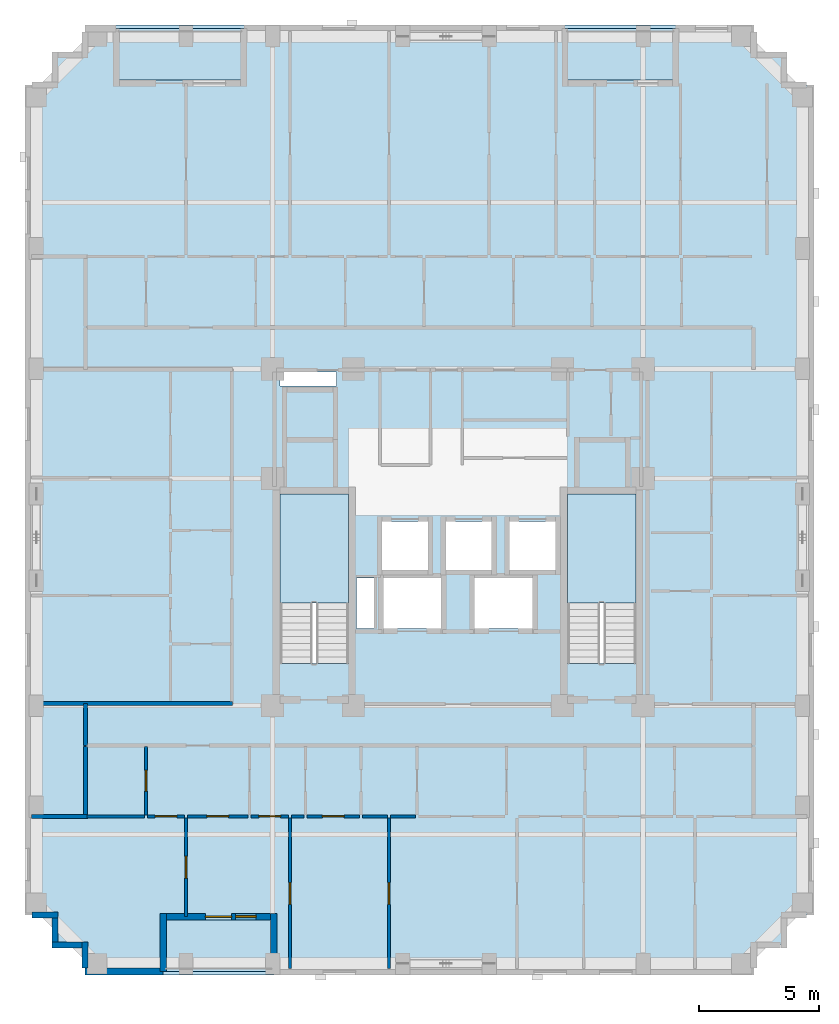
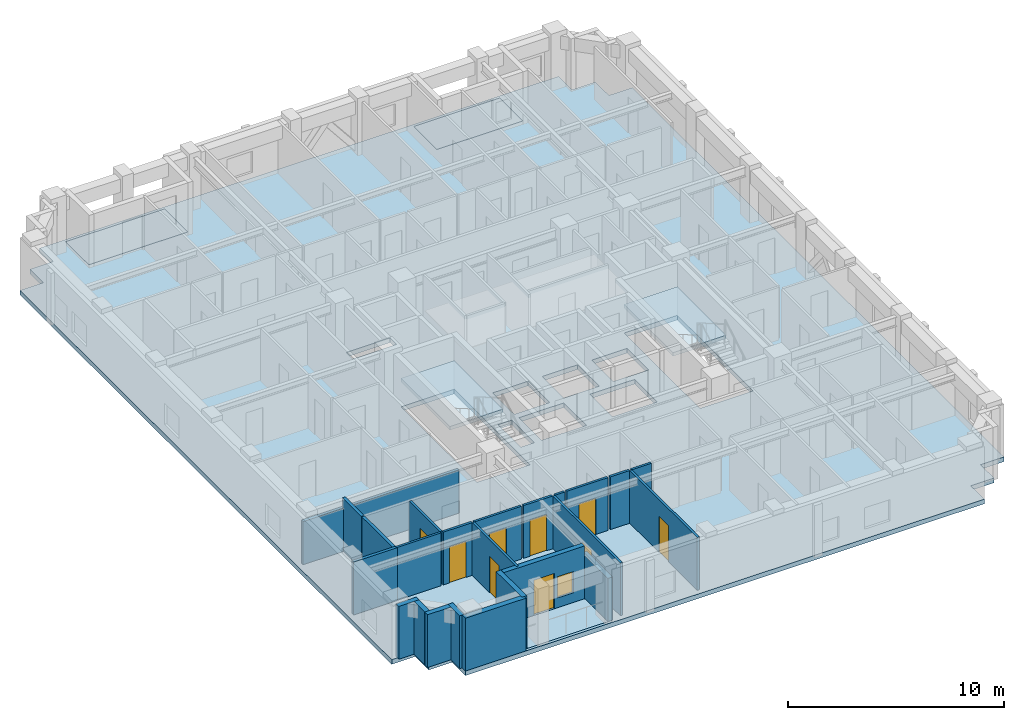
# One storey, part 2 of 11: 24 walls, 9 doors, 6 slabs, 1 window, 10 openings, 2 elements without a shape of their own.
"""IFC4 building model written with IfcOpenShell, lengths in metres."""

from ifc_helpers import new_model, si_unit, derived_unit, direction, frame, frame_2d, origin, place, context, subcontext, project, spatial, polyline, rectangle, outline, extrude, material, layer, layer_set, type_object, element, fill, aggregate, save


model = new_model("IFC4")

# Units and contexts
model_context = context("Model", 3, precision=1e-05, world=origin(), true_north=direction((0.0, 1.0)))
body_context = subcontext(model_context, "Body", "Model", "MODEL_VIEW")
ifc_project = project(units=[si_unit("LENGTHUNIT", "METRE"), si_unit("AREAUNIT", "SQUARE_METRE"), si_unit("VOLUMEUNIT", "CUBIC_METRE"), si_unit("PLANEANGLEUNIT", "RADIAN"), si_unit("MASSUNIT", "GRAM", prefix="KILO"), derived_unit("THERMALTRANSMITTANCEUNIT", [(si_unit("MASSUNIT", "GRAM", prefix="KILO"), 1), (si_unit("TIMEUNIT", "SECOND"), -3), (si_unit("THERMODYNAMICTEMPERATUREUNIT", "KELVIN"), -1)])], contexts=[model_context])

# Site, building, storey
site_placement = place(None, origin())
site = spatial("IfcSite", under=ifc_project, at=site_placement, CompositionType="ELEMENT")
building_placement = place(site_placement, origin())
building = spatial("IfcBuilding", under=site, at=building_placement, Name="Korrvale Station Residences", CompositionType="ELEMENT")
storey_placement = place(building_placement, frame((0.0, 0.0, 153.64990234375)))
storey = spatial("IfcBuildingStorey", under=building, at=storey_placement, Name="L44", CompositionType="ELEMENT", Elevation=153.64990234375)

# Slabs
ifc_material_1 = material(Name="Concrete C50/60", Category="concrete")
ifc_layer_1 = layer(ifc_material_1, 0.219970703125, Name="Concrete C50/60")
ifc_layer_set_1 = layer_set([ifc_layer_1], Name="Concrete C50/60")
slab_type_1 = type_object("IfcSlabType", Name="SLB-BAL-220", PredefinedType="FLOOR", material=ifc_layer_set_1)
slab_1_placement = place(storey_placement, frame((0.0, 0.0, -0.219970703125)))
element("IfcSlab", 1, at=slab_1_placement, inside=storey, type_object=slab_type_1, Name="L44 Recessed Loggia Balcony Slab BAL-L44-S1", PredefinedType="FLOOR", context=body_context, shape_type="SweptSolid", body=[
    extrude(outline(polyline([(13.25, 3.949951171875), (17.85009765625, 3.949951171875), (17.85009765625, 6.10009765625), (13.25, 6.10009765625), (13.25, 3.949951171875)])), origin(), (0.0, 0.0, 1.0), 0.219970703125),
])
slab_2_placement = place(storey_placement, frame((0.0, 0.0, -0.219970703125)))
element("IfcSlab", 2, at=slab_2_placement, inside=storey, type_object=slab_type_1, Name="L44 Recessed Loggia Balcony Slab BAL-L44-N1", PredefinedType="FLOOR", context=body_context, shape_type="SweptSolid", body=[
    extrude(outline(polyline([(29.949951171875, 41.0), (34.550048828125, 41.0), (34.550048828125, 43.14990234375), (29.949951171875, 43.14990234375), (29.949951171875, 41.0)])), origin(), (0.0, 0.0, 1.0), 0.219970703125),
])
slab_3_placement = place(storey_placement, frame((0.0, 0.0, -0.219970703125)))
element("IfcSlab", 3, at=slab_3_placement, inside=storey, type_object=slab_type_1, Name="L44 Recessed Loggia Balcony Slab BAL-L44-N2", PredefinedType="FLOOR", context=body_context, shape_type="SweptSolid", body=[
    extrude(outline(polyline([(11.300048828125, 41.0), (16.60009765625, 41.0), (16.60009765625, 43.14990234375), (11.300048828125, 43.14990234375), (11.300048828125, 41.0)])), origin(), (0.0, 0.0, 1.0), 0.219970703125),
])
ifc_layer_2 = layer(ifc_material_1, 0.260009765625, Name="Concrete C50/60")
ifc_layer_set_2 = layer_set([ifc_layer_2], Name="Concrete C50/60")
slab_type_2 = type_object("IfcSlabType", Name="SLB-FLR-260", PredefinedType="FLOOR", material=ifc_layer_set_2)
slab_4_placement = place(storey_placement, frame((0.0, 0.0, -0.260009765625)))
element("IfcSlab", 4, at=slab_4_placement, inside=storey, type_object=slab_type_2, Name="L44 Suspended Structural Floor Slab", PredefinedType="FLOOR", context=body_context, shape_type="SweptSolid", body=[
    extrude(outline(polyline([(10.0, 3.800048828125), (37.800048828125, 3.800048828125), (37.800048828125, 5.050048828125), (39.050048828125, 5.050048828125), (39.050048828125, 6.300048828125), (40.300048828125, 6.300048828125), (40.300048828125, 40.800048828125), (39.050048828125, 40.800048828125), (39.050048828125, 42.050048828125), (37.800048828125, 42.050048828125), (37.800048828125, 43.300048828125), (10.0, 43.300048828125), (10.0, 42.050048828125), (8.75, 42.050048828125), (8.75, 40.800048828125), (7.5, 40.800048828125), (7.5, 6.300048828125), (8.75, 6.300048828125), (8.75, 5.050048828125), (10.0, 5.050048828125), (10.0, 3.800048828125)]), holes=[polyline([(20.949951171875, 16.751953125), (20.949951171875, 23.800048828125), (18.10009765625, 23.800048828125), (18.10009765625, 16.751953125), (20.949951171875, 16.751953125)]), polyline([(32.89990234375, 16.751953125), (32.89990234375, 23.800048828125), (30.050048828125, 23.800048828125), (30.050048828125, 16.751953125), (32.89990234375, 16.751953125)]), polyline([(22.35009765625, 20.64990234375), (24.25, 20.64990234375), (24.25, 22.64990234375), (22.35009765625, 22.64990234375), (22.35009765625, 20.64990234375)]), polyline([(25.0, 20.64990234375), (26.89990234375, 20.64990234375), (26.89990234375, 22.64990234375), (25.0, 22.64990234375), (25.0, 20.64990234375)]), polyline([(27.64990234375, 20.64990234375), (29.550048828125, 20.64990234375), (29.550048828125, 22.64990234375), (27.64990234375, 22.64990234375), (27.64990234375, 20.64990234375)]), polyline([(22.39990234375, 18.199951171875), (24.800048828125, 18.199951171875), (24.800048828125, 20.300048828125), (22.39990234375, 20.300048828125), (22.39990234375, 18.199951171875)]), polyline([(26.199951171875, 18.199951171875), (28.60009765625, 18.199951171875), (28.60009765625, 20.300048828125), (26.199951171875, 20.300048828125), (26.199951171875, 18.199951171875)]), polyline([(18.10009765625, 28.280029296875), (20.449951171875, 28.280029296875), (20.449951171875, 28.8798828125), (18.10009765625, 28.8798828125), (18.10009765625, 28.280029296875)]), polyline([(21.280029296875, 18.199951171875), (22.02001953125, 18.199951171875), (22.02001953125, 20.300048828125), (21.280029296875, 20.300048828125), (21.280029296875, 18.199951171875)]), polyline([(13.25, 3.949951171875), (17.85009765625, 3.949951171875), (17.85009765625, 6.10009765625), (13.25, 6.10009765625), (13.25, 3.949951171875)]), polyline([(29.949951171875, 41.0), (34.550048828125, 41.0), (34.550048828125, 43.14990234375), (29.949951171875, 43.14990234375), (29.949951171875, 41.0)]), polyline([(11.300048828125, 41.0), (16.60009765625, 41.0), (16.60009765625, 43.14990234375), (11.300048828125, 43.14990234375), (11.300048828125, 41.0)])]), origin(), (0.0, 0.0, 1.0), 0.260009765625),
])

# Stair, slab
stair_type = type_object("IfcStairType", Name="STR-DL-1350-20R-1625", PredefinedType="HALF_TURN_STAIR", material=ifc_material_1)
stair_1_placement = place(storey_placement, origin())
stair_1 = element("IfcStair", 5, at=stair_1_placement, inside=storey, type_object=stair_type, Name="L44 Exit Stair 1", PredefinedType="HALF_TURN_STAIR")
ifc_layer_3 = layer(ifc_material_1, 0.199951171875, Name="Concrete C50/60")
ifc_layer_set_3 = layer_set([ifc_layer_3], Name="Concrete C50/60")
slab_type_3 = type_object("IfcSlabType", Name="SLB-LND-200", PredefinedType="LANDING", material=ifc_layer_set_3)
slab_5_placement = place(storey_placement, frame((0.0, 0.0, 1.425048828125)))
slab_5 = element("IfcSlab", 6, at=slab_5_placement, type_object=slab_type_3, Name="ST-1 landing 1", PredefinedType="LANDING", context=body_context, shape_type="SweptSolid", body=[
    extrude(outline(polyline([(20.949951171875, 19.27001953125), (20.949951171875, 23.800048828125), (18.10009765625, 23.800048828125), (18.10009765625, 19.27001953125), (20.949951171875, 19.27001953125)])), origin(), (0.0, 0.0, 1.0), 0.199951171875),
])
aggregate(stair_1, [slab_5])

stair_2_placement = place(storey_placement, origin())
stair_2 = element("IfcStair", 7, at=stair_2_placement, inside=storey, type_object=stair_type, Name="L44 Exit Stair 2", PredefinedType="HALF_TURN_STAIR")
slab_6_placement = place(storey_placement, frame((0.0, 0.0, 1.425048828125)))
slab_6 = element("IfcSlab", 8, at=slab_6_placement, type_object=slab_type_3, Name="ST-2 landing 1", PredefinedType="LANDING", context=body_context, shape_type="SweptSolid", body=[
    extrude(outline(polyline([(32.89990234375, 19.27001953125), (32.89990234375, 23.800048828125), (30.050048828125, 23.800048828125), (30.050048828125, 19.27001953125), (32.89990234375, 19.27001953125)])), origin(), (0.0, 0.0, 1.0), 0.199951171875),
])
aggregate(stair_2, [slab_6])

# Wall
ifc_material_2 = material(Name="Precast concrete C45/55", Category="concrete")
ifc_layer_4 = layer(ifc_material_2, 0.260009765625, Name="Precast concrete C45/55")
ifc_layer_set_4 = layer_set([ifc_layer_4], Name="Precast concrete C45/55")
wall_type_1 = type_object("IfcWallType", Name="WAL-EXT-LOG260", PredefinedType="SOLIDWALL", material=ifc_layer_set_4)
wall_1_placement = place(storey_placement, frame((17.85009765625, 3.9599609375, 0.0), z_axis=(0.0, 0.0, 1.0), x_axis=(0.0, 1.0, 0.0)))
element("IfcWall", 9, at=wall_1_placement, inside=storey, type_object=wall_type_1, Name="L44 Recessed Loggia Wall BAL-L44-S1-L", PredefinedType="SOLIDWALL", context=body_context, shape_type="SweptSolid", body=[
    extrude(rectangle(XDim=2.400146484375, YDim=0.260009765625, at=frame_2d((1.2001953125, 0.0))), origin(), (0.0, 0.0, 1.0), 2.442138671875),
])

# Wall, openings, door, window
wall_2_placement = place(storey_placement, frame((17.716064453125, 6.22998046875, 0.0), z_axis=(0.0, 0.0, 1.0), x_axis=(-1.0, 0.0, 0.0)))
wall_2 = element("IfcWall", 10, at=wall_2_placement, inside=storey, type_object=wall_type_1, Name="L44 Recessed Loggia Wall BAL-L44-S1-B", PredefinedType="SOLIDWALL", context=body_context, shape_type="SweptSolid", body=[
    extrude(rectangle(XDim=4.33203125, YDim=0.260009765625, at=frame_2d((2.166015625, 0.0))), origin(), (0.0, 0.0, 1.0), 2.989990234375),
])
opening_1_placement = place(wall_2_placement, frame((1.615966796875, 0.0, 0.0)))
opening_1 = element("IfcOpeningElement", 11, at=opening_1_placement, cuts=wall_2, Name="Opening BD-01", PredefinedType="OPENING", context=body_context, shape_type="SweptSolid", body=[
    extrude(rectangle(XDim=1.10009765625, YDim=2.0, at=frame_2d((0.550048828125, 1.0))), frame((0.0, 0.14013671875, 0.0), z_axis=(0.0, -1.0, 0.0), x_axis=(1.0, 0.0, 0.0)), (0.0, 0.0, 1.0), 0.280029296875),
])
opening_2_placement = place(wall_2_placement, frame((0.60595703125, 0.0, 0.550048828125)))
opening_2 = element("IfcOpeningElement", 12, at=opening_2_placement, cuts=wall_2, Name="Opening W-11", PredefinedType="OPENING", context=body_context, shape_type="SweptSolid", body=[
    extrude(rectangle(XDim=0.85009765625, YDim=1.199951171875, at=frame_2d((0.425048828125, 0.60009765625))), frame((0.0, 0.14013671875, 0.0), z_axis=(0.0, -1.0, 0.0), x_axis=(1.0, 0.0, 0.0)), (0.0, 0.0, 1.0), 0.280029296875),
])
ifc_material_3 = material(Name="Exterior thermally broken aluminium glazed balcony door", Category="aluminium")
door_type_1 = type_object("IfcDoorType", Name="DR-EXT-BAL", OperationType="NOTDEFINED", PredefinedType="DOOR", material=ifc_material_3)
door_1_placement = place(opening_1_placement, origin())
door_1 = element("IfcDoor", 13, at=door_1_placement, inside=storey, type_object=door_type_1, Name="L44 Loggia Balcony Door BAL-L44-S1", OperationType="SINGLE_SWING_LEFT", OverallHeight=2.0, OverallWidth=1.10009765625, PredefinedType="DOOR", context=body_context, shape_type="SweptSolid", body=[
    extrude(rectangle(XDim=1.10009765625, YDim=2.0, at=frame_2d((0.550048828125, 1.0))), frame((0.0, 0.02490234375, 0.0), z_axis=(0.0, -1.0, 0.0), x_axis=(1.0, 0.0, 0.0)), (0.0, 0.0, 1.0), 0.050048828125),
])
fill(opening_1, door_1)
ifc_material_4 = material(Name="Thermally broken aluminium frame with triple low-e glazing", Category="aluminium")
window_type = type_object("IfcWindowType", Name="WIN-W11", PartitioningType="SINGLE_PANEL", PredefinedType="WINDOW", material=ifc_material_4)
window_placement = place(opening_2_placement, origin())
window = element("IfcWindow", 14, at=window_placement, inside=storey, type_object=window_type, Name="L44 Punched Window 02", OverallHeight=1.199951171875, OverallWidth=0.85009765625, PartitioningType="SINGLE_PANEL", PredefinedType="WINDOW", context=body_context, shape_type="SweptSolid", body=[
    extrude(rectangle(XDim=0.85009765625, YDim=1.199951171875, at=frame_2d((0.425048828125, 0.60009765625))), frame((0.0, 0.030029296875, 0.0), z_axis=(0.0, -1.0, 0.0), x_axis=(1.0, 0.0, 0.0)), (0.0, 0.0, 1.0), 0.06005859375),
])
fill(opening_2, window)

# Walls
wall_3_placement = place(storey_placement, frame((13.25, 6.360107421875, 0.0), z_axis=(0.0, 0.0, 1.0), x_axis=(0.0, -1.0, 0.0)))
element("IfcWall", 15, at=wall_3_placement, inside=storey, type_object=wall_type_1, Name="L44 Recessed Loggia Wall BAL-L44-S1-R", PredefinedType="SOLIDWALL", context=body_context, shape_type="SweptSolid", body=[
    extrude(rectangle(XDim=2.400146484375, YDim=0.260009765625, at=frame_2d((1.2001953125, 0.0))), origin(), (0.0, 0.0, 1.0), 2.989990234375),
])
wall_4_placement = place(storey_placement, frame((10.0, 4.10205078125, 0.0), z_axis=(0.0, 0.0, 1.0), x_axis=(0.0, 1.0, 0.0)))
element("IfcWall", 16, at=wall_4_placement, inside=storey, type_object=wall_type_1, Name="L44 Serrated Corner Precast Step SW-1", PredefinedType="SOLIDWALL", context=body_context, shape_type="SweptSolid", body=[
    extrude(rectangle(XDim=1.077880859375, YDim=0.260009765625, at=frame_2d((0.5390625, 0.0))), origin(), (0.0, 0.0, 1.0), 2.989990234375),
])
wall_5_placement = place(storey_placement, frame((9.867919921875, 5.050048828125, 0.0), z_axis=(0.0, 0.0, 1.0), x_axis=(-1.0, 0.0, 0.0)))
element("IfcWall", 17, at=wall_5_placement, inside=storey, type_object=wall_type_1, Name="L44 Serrated Corner Precast Step SW-2", PredefinedType="SOLIDWALL", context=body_context, shape_type="SweptSolid", body=[
    extrude(rectangle(XDim=1.247802734375, YDim=0.260009765625, at=frame_2d((0.6240234375, 0.0))), origin(), (0.0, 0.0, 1.0), 2.989990234375),
])
wall_6_placement = place(storey_placement, frame((8.75, 5.181884765625, 0.0), z_axis=(0.0, 0.0, 1.0), x_axis=(0.0, 1.0, 0.0)))
element("IfcWall", 18, at=wall_6_placement, inside=storey, type_object=wall_type_1, Name="L44 Serrated Corner Precast Step SW-3", PredefinedType="SOLIDWALL", context=body_context, shape_type="SweptSolid", body=[
    extrude(rectangle(XDim=0.986083984375, YDim=0.260009765625, at=frame_2d((0.4931640625, 0.0))), origin(), (0.0, 0.0, 1.0), 2.989990234375),
])
wall_7_placement = place(storey_placement, frame((8.8798828125, 6.300048828125, 0.0), z_axis=(0.0, 0.0, 1.0), x_axis=(-1.0, 0.0, 0.0)))
element("IfcWall", 19, at=wall_7_placement, inside=storey, type_object=wall_type_1, Name="L44 Serrated Corner Precast Step SW-4", PredefinedType="SOLIDWALL", context=body_context, shape_type="SweptSolid", body=[
    extrude(rectangle(XDim=1.077880859375, YDim=0.260009765625, at=frame_2d((0.5390625, 0.0))), origin(), (0.0, 0.0, 1.0), 2.989990234375),
])
ifc_layer_5 = layer(ifc_material_2, 0.300048828125, Name="Precast concrete C45/55")
ifc_layer_set_5 = layer_set([ifc_layer_5], Name="Precast concrete C45/55")
wall_type_2 = type_object("IfcWallType", Name="WAL-EXT-PC300", PredefinedType="SOLIDWALL", material=ifc_layer_set_5)
wall_8_placement = place(storey_placement, frame((13.25, 3.949951171875, 0.0), z_axis=(0.0, 0.0, 1.0), x_axis=(-1.0, 0.0, 0.0)))
element("IfcWall", 20, at=wall_8_placement, inside=storey, type_object=wall_type_2, Name="L44 South Exterior Precast Wall 2", PredefinedType="SOLIDWALL", context=body_context, shape_type="SweptSolid", body=[
    extrude(rectangle(XDim=3.25, YDim=0.300048828125, at=frame_2d((1.625, 0.0))), origin(), (0.0, 0.0, 1.0), 2.989990234375),
])

# Wall, opening, door
ifc_material_5 = material(Name="Acoustic steel-stud gypsum board partition", Category="steel")
ifc_layer_6 = layer(ifc_material_5, 0.1201171875, Name="Acoustic steel-stud gypsum board partition")
ifc_layer_set_6 = layer_set([ifc_layer_6], Name="Acoustic steel-stud gypsum board partition")
wall_type_3 = type_object("IfcWallType", Name="WAL-PART-125", PredefinedType="PARTITIONING", material=ifc_layer_set_6)
wall_9_placement = place(storey_placement, frame((12.5400390625, 10.4599609375, 0.0), z_axis=(0.0, 0.0, 1.0), x_axis=(0.0, 1.0, 0.0)))
wall_9 = element("IfcWall", 21, at=wall_9_placement, inside=storey, type_object=wall_type_3, Name="L44 Suite Partition U01-V01", PredefinedType="PARTITIONING", context=body_context, shape_type="SweptSolid", body=[
    extrude(rectangle(XDim=2.85009765625, YDim=0.1201171875, at=frame_2d((1.425048828125, 0.0))), origin(), (0.0, 0.0, 1.0), 2.989990234375),
])
opening_3_placement = place(wall_9_placement, frame((0.9951171875, 0.0, 0.0)))
opening_3 = element("IfcOpeningElement", 22, at=opening_3_placement, cuts=wall_9, Name="Opening DB-860", PredefinedType="OPENING", context=body_context, shape_type="SweptSolid", body=[
    extrude(rectangle(XDim=0.860107421875, YDim=2.050048828125, at=frame_2d((0.43017578125, 1.02490234375))), frame((0.0, 0.070068359375, 0.0), z_axis=(0.0, -1.0, 0.0), x_axis=(1.0, 0.0, 0.0)), (0.0, 0.0, 1.0), 0.14013671875),
])
ifc_material_6 = material(Name="Moisture-resistant solid-core bathroom door", Category="timber")
door_type_2 = type_object("IfcDoorType", Name="DR-BATH-860", OperationType="NOTDEFINED", PredefinedType="DOOR", material=ifc_material_6)
door_2_placement = place(opening_3_placement, origin())
door_2 = element("IfcDoor", 23, at=door_2_placement, inside=storey, type_object=door_type_2, Name="L44 Apartment 2BR L44-U01 Bathroom Door", OperationType="SINGLE_SWING_LEFT", OverallHeight=2.050048828125, OverallWidth=0.860107421875, PredefinedType="DOOR", context=body_context, shape_type="SweptSolid", body=[
    extrude(rectangle(XDim=0.860107421875, YDim=2.050048828125, at=frame_2d((0.43017578125, 1.02490234375))), frame((0.0, 0.02490234375, 0.0), z_axis=(0.0, -1.0, 0.0), x_axis=(1.0, 0.0, 0.0)), (0.0, 0.0, 1.0), 0.050048828125),
])
fill(opening_3, door_2)

# Wall
wall_10_placement = place(storey_placement, frame((10.080078125, 10.39990234375, 0.0), z_axis=(0.0, 0.0, 1.0), x_axis=(1.0, 0.0, 0.0)))
element("IfcWall", 24, at=wall_10_placement, inside=storey, type_object=wall_type_3, Name="L44 Suite Partition U01-H09", PredefinedType="PARTITIONING", context=body_context, shape_type="SweptSolid", body=[
    extrude(rectangle(XDim=2.39990234375, YDim=0.1201171875, at=frame_2d((1.199951171875, 0.0))), origin(), (0.0, 0.0, 1.0), 2.989990234375),
])

# Wall, opening, door
wall_11_placement = place(storey_placement, frame((12.60009765625, 10.39990234375, 0.0), z_axis=(0.0, 0.0, 1.0), x_axis=(1.0, 0.0, 0.0)))
wall_11 = element("IfcWall", 25, at=wall_11_placement, inside=storey, type_object=wall_type_3, Name="L44 Suite Partition U01-H19", PredefinedType="PARTITIONING", context=body_context, shape_type="SweptSolid", body=[
    extrude(rectangle(XDim=1.539794921875, YDim=0.1201171875, at=frame_2d((0.77001953125, 0.0))), origin(), (0.0, 0.0, 1.0), 2.989990234375),
])
opening_4_placement = place(wall_11_placement, frame((0.320068359375, 0.0, 0.0)))
opening_4 = element("IfcOpeningElement", 26, at=opening_4_placement, cuts=wall_11, Name="Opening DI-900", PredefinedType="OPENING", context=body_context, shape_type="SweptSolid", body=[
    extrude(rectangle(XDim=0.89990234375, YDim=2.050048828125, at=frame_2d((0.449951171875, 1.02490234375))), frame((0.0, 0.070068359375, 0.0), z_axis=(0.0, -1.0, 0.0), x_axis=(1.0, 0.0, 0.0)), (0.0, 0.0, 1.0), 0.14013671875),
])
ifc_material_7 = material(Name="Painted solid-core timber interior room door", Category="wood")
door_type_3 = type_object("IfcDoorType", Name="DR-INT-900", OperationType="NOTDEFINED", PredefinedType="DOOR", material=ifc_material_7)
door_3_placement = place(opening_4_placement, origin())
door_3 = element("IfcDoor", 27, at=door_3_placement, inside=storey, type_object=door_type_3, Name="L44 Apartment 2BR L44-U01 Kitchen Door", OperationType="SINGLE_SWING_LEFT", OverallHeight=2.050048828125, OverallWidth=0.89990234375, PredefinedType="DOOR", context=body_context, shape_type="SweptSolid", body=[
    extrude(rectangle(XDim=0.89990234375, YDim=2.050048828125, at=frame_2d((0.449951171875, 1.02490234375))), frame((0.0, 0.02490234375, 0.0), z_axis=(0.0, -1.0, 0.0), x_axis=(1.0, 0.0, 0.0)), (0.0, 0.0, 1.0), 0.050048828125),
])
fill(opening_4, door_3)

wall_12_placement = place(storey_placement, frame((14.260009765625, 10.39990234375, 0.0), z_axis=(0.0, 0.0, 1.0), x_axis=(1.0, 0.0, 0.0)))
wall_12 = element("IfcWall", 28, at=wall_12_placement, inside=storey, type_object=wall_type_3, Name="L44 Suite Partition U01-H110", PredefinedType="PARTITIONING", context=body_context, shape_type="SweptSolid", body=[
    extrude(rectangle(XDim=2.52001953125, YDim=0.1201171875, at=frame_2d((1.260009765625, 0.0))), origin(), (0.0, 0.0, 1.0), 2.989990234375),
])
opening_5_placement = place(wall_12_placement, frame((0.81005859375, 0.0, 0.0)))
opening_5 = element("IfcOpeningElement", 29, at=opening_5_placement, cuts=wall_12, Name="Opening DI-900", PredefinedType="OPENING", context=body_context, shape_type="SweptSolid", body=[
    extrude(rectangle(XDim=0.89990234375, YDim=2.050048828125, at=frame_2d((0.449951171875, 1.02490234375))), frame((0.0, 0.070068359375, 0.0), z_axis=(0.0, -1.0, 0.0), x_axis=(1.0, 0.0, 0.0)), (0.0, 0.0, 1.0), 0.14013671875),
])
door_4_placement = place(opening_5_placement, origin())
door_4 = element("IfcDoor", 30, at=door_4_placement, inside=storey, type_object=door_type_3, Name="L44 Apartment 2BR L44-U01 Kitchen Door", OperationType="SINGLE_SWING_RIGHT", OverallHeight=2.050048828125, OverallWidth=0.89990234375, PredefinedType="DOOR", context=body_context, shape_type="SweptSolid", body=[
    extrude(rectangle(XDim=0.89990234375, YDim=2.050048828125, at=frame_2d((0.449951171875, 1.02490234375))), frame((0.0, 0.02490234375, 0.0), z_axis=(0.0, -1.0, 0.0), x_axis=(1.0, 0.0, 0.0)), (0.0, 0.0, 1.0), 0.050048828125),
])
fill(opening_5, door_4)

wall_13_placement = place(storey_placement, frame((16.89990234375, 10.39990234375, 0.0), z_axis=(0.0, 0.0, 1.0), x_axis=(1.0, 0.0, 0.0)))
wall_13 = element("IfcWall", 31, at=wall_13_placement, inside=storey, type_object=wall_type_3, Name="L44 Suite Partition U01-H210", PredefinedType="PARTITIONING", context=body_context, shape_type="SweptSolid", body=[
    extrude(rectangle(XDim=1.56005859375, YDim=0.1201171875, at=frame_2d((0.780029296875, 0.0))), origin(), (0.0, 0.0, 1.0), 2.989990234375),
])
opening_6_placement = place(wall_13_placement, frame((0.330078125, 0.0, 0.0)))
opening_6 = element("IfcOpeningElement", 32, at=opening_6_placement, cuts=wall_13, Name="Opening DI-900", PredefinedType="OPENING", context=body_context, shape_type="SweptSolid", body=[
    extrude(rectangle(XDim=0.89990234375, YDim=2.050048828125, at=frame_2d((0.449951171875, 1.02490234375))), frame((0.0, 0.070068359375, 0.0), z_axis=(0.0, -1.0, 0.0), x_axis=(1.0, 0.0, 0.0)), (0.0, 0.0, 1.0), 0.14013671875),
])
door_5_placement = place(opening_6_placement, origin())
door_5 = element("IfcDoor", 33, at=door_5_placement, inside=storey, type_object=door_type_3, Name="L44 Apartment 2BR L44-U01 Wardrobe Storage Room Door", OperationType="SINGLE_SWING_RIGHT", OverallHeight=2.050048828125, OverallWidth=0.89990234375, PredefinedType="DOOR", context=body_context, shape_type="SweptSolid", body=[
    extrude(rectangle(XDim=0.89990234375, YDim=2.050048828125, at=frame_2d((0.449951171875, 1.02490234375))), frame((0.0, 0.02490234375, 0.0), z_axis=(0.0, -1.0, 0.0), x_axis=(1.0, 0.0, 0.0)), (0.0, 0.0, 1.0), 0.050048828125),
])
fill(opening_6, door_5)

# Wall
wall_14_placement = place(storey_placement, frame((18.580078125, 10.39990234375, 0.0), z_axis=(0.0, 0.0, 1.0), x_axis=(1.0, 0.0, 0.0)))
element("IfcWall", 34, at=wall_14_placement, inside=storey, type_object=wall_type_3, Name="L44 Suite Partition U01-H211", PredefinedType="PARTITIONING", context=body_context, shape_type="SweptSolid", body=[
    extrude(rectangle(XDim=0.52001953125, YDim=0.1201171875, at=frame_2d((0.260009765625, 0.0))), origin(), (0.0, 0.0, 1.0), 2.989990234375),
])

# Wall, opening, door
wall_15_placement = place(storey_placement, frame((19.219970703125, 10.39990234375, 0.0), z_axis=(0.0, 0.0, 1.0), x_axis=(1.0, 0.0, 0.0)))
wall_15 = element("IfcWall", 35, at=wall_15_placement, inside=storey, type_object=wall_type_3, Name="L44 Suite Partition U01-H311", PredefinedType="PARTITIONING", context=body_context, shape_type="SweptSolid", body=[
    extrude(rectangle(XDim=2.199951171875, YDim=0.1201171875, at=frame_2d((1.10009765625, 0.0))), origin(), (0.0, 0.0, 1.0), 2.989990234375),
])
opening_7_placement = place(wall_15_placement, frame((0.64990234375, 0.0, 0.0)))
opening_7 = element("IfcOpeningElement", 36, at=opening_7_placement, cuts=wall_15, Name="Opening DI-900", PredefinedType="OPENING", context=body_context, shape_type="SweptSolid", body=[
    extrude(rectangle(XDim=0.89990234375, YDim=2.050048828125, at=frame_2d((0.449951171875, 1.02490234375))), frame((0.0, 0.070068359375, 0.0), z_axis=(0.0, -1.0, 0.0), x_axis=(1.0, 0.0, 0.0)), (0.0, 0.0, 1.0), 0.14013671875),
])
door_6_placement = place(opening_7_placement, origin())
door_6 = element("IfcDoor", 37, at=door_6_placement, inside=storey, type_object=door_type_3, Name="L44 Apartment 2BR L44-U01 Wardrobe Storage Room Door", OperationType="SINGLE_SWING_RIGHT", OverallHeight=2.050048828125, OverallWidth=0.89990234375, PredefinedType="DOOR", context=body_context, shape_type="SweptSolid", body=[
    extrude(rectangle(XDim=0.89990234375, YDim=2.050048828125, at=frame_2d((0.449951171875, 1.02490234375))), frame((0.0, 0.02490234375, 0.0), z_axis=(0.0, -1.0, 0.0), x_axis=(1.0, 0.0, 0.0)), (0.0, 0.0, 1.0), 0.050048828125),
])
fill(opening_7, door_6)

# Walls
for number, where, z_axis, x_axis, name in (
    (38, (21.5400390625, 10.39990234375, 0.0), (0.0, 0.0, 1.0), (1.0, 0.0, 0.0), "L44 Suite Partition U01-H411"),
    (39, (22.699951171875, 10.39990234375, 0.0), (0.0, 0.0, 1.0), (1.0, 0.0, 0.0), "L44 Suite Partition U01-H412"),
):
    element("IfcWall", number, at=place(storey_placement, frame(where, z_axis=z_axis, x_axis=x_axis)), inside=storey, type_object=wall_type_3, Name=name, PredefinedType="PARTITIONING", context=body_context, shape_type="SweptSolid", body=[
        extrude(rectangle(XDim=1.0400390625, YDim=0.1201171875, at=frame_2d((0.52001953125, 0.0))), origin(), (0.0, 0.0, 1.0), 2.989990234375),
    ])

# Wall, opening, door
wall_16_placement = place(storey_placement, frame((14.199951171875, 6.22998046875, 0.0), z_axis=(0.0, 0.0, 1.0), x_axis=(0.0, 1.0, 0.0)))
wall_16 = element("IfcWall", 40, at=wall_16_placement, inside=storey, type_object=wall_type_3, Name="L44 Suite Partition U01-V910", PredefinedType="PARTITIONING", context=body_context, shape_type="SweptSolid", body=[
    extrude(rectangle(XDim=4.110107421875, YDim=0.1201171875, at=frame_2d((2.05517578125, 0.0))), origin(), (0.0, 0.0, 1.0), 2.989990234375),
])
opening_8_placement = place(wall_16_placement, frame((1.60498046875, 0.0, 0.0)))
opening_8 = element("IfcOpeningElement", 41, at=opening_8_placement, cuts=wall_16, Name="Opening DI-900", PredefinedType="OPENING", context=body_context, shape_type="SweptSolid", body=[
    extrude(rectangle(XDim=0.89990234375, YDim=2.050048828125, at=frame_2d((0.449951171875, 1.02490234375))), frame((0.0, 0.070068359375, 0.0), z_axis=(0.0, -1.0, 0.0), x_axis=(1.0, 0.0, 0.0)), (0.0, 0.0, 1.0), 0.14013671875),
])
door_7_placement = place(opening_8_placement, origin())
door_7 = element("IfcDoor", 42, at=door_7_placement, inside=storey, type_object=door_type_3, Name="L44 Apartment 2BR L44-U01 Living and Dining Room Door", OperationType="SINGLE_SWING_LEFT", OverallHeight=2.050048828125, OverallWidth=0.89990234375, PredefinedType="DOOR", context=body_context, shape_type="SweptSolid", body=[
    extrude(rectangle(XDim=0.89990234375, YDim=2.050048828125, at=frame_2d((0.449951171875, 1.02490234375))), frame((0.0, 0.02490234375, 0.0), z_axis=(0.0, -1.0, 0.0), x_axis=(1.0, 0.0, 0.0)), (0.0, 0.0, 1.0), 0.050048828125),
])
fill(opening_8, door_7)

wall_17_placement = place(storey_placement, frame((18.52001953125, 4.080078125, 0.0), z_axis=(0.0, 0.0, 1.0), x_axis=(0.0, 1.0, 0.0)))
wall_17 = element("IfcWall", 43, at=wall_17_placement, inside=storey, type_object=wall_type_3, Name="L44 Suite Partition U01-V1011", PredefinedType="PARTITIONING", context=body_context, shape_type="SweptSolid", body=[
    extrude(rectangle(XDim=6.260009765625, YDim=0.1201171875, at=frame_2d((3.1298828125, 0.0))), origin(), (0.0, 0.0, 1.0), 2.989990234375),
])
opening_9_placement = place(wall_17_placement, frame((2.6650390625, 0.0, 0.0)))
opening_9 = element("IfcOpeningElement", 44, at=opening_9_placement, cuts=wall_17, Name="Opening DI-900", PredefinedType="OPENING", context=body_context, shape_type="SweptSolid", body=[
    extrude(rectangle(XDim=0.89990234375, YDim=2.050048828125, at=frame_2d((0.449951171875, 1.02490234375))), frame((0.0, 0.070068359375, 0.0), z_axis=(0.0, -1.0, 0.0), x_axis=(1.0, 0.0, 0.0)), (0.0, 0.0, 1.0), 0.14013671875),
])
door_8_placement = place(opening_9_placement, origin())
door_8 = element("IfcDoor", 45, at=door_8_placement, inside=storey, type_object=door_type_3, Name="L44 Apartment 2BR L44-U01 Formal Dining Room Door", OperationType="SINGLE_SWING_RIGHT", OverallHeight=2.050048828125, OverallWidth=0.89990234375, PredefinedType="DOOR", context=body_context, shape_type="SweptSolid", body=[
    extrude(rectangle(XDim=0.89990234375, YDim=2.050048828125, at=frame_2d((0.449951171875, 1.02490234375))), frame((0.0, 0.02490234375, 0.0), z_axis=(0.0, -1.0, 0.0), x_axis=(1.0, 0.0, 0.0)), (0.0, 0.0, 1.0), 0.050048828125),
])
fill(opening_9, door_8)

wall_18_placement = place(storey_placement, frame((22.639892578125, 4.080078125, 0.0), z_axis=(0.0, 0.0, 1.0), x_axis=(0.0, 1.0, 0.0)))
wall_18 = element("IfcWall", 46, at=wall_18_placement, inside=storey, type_object=wall_type_3, Name="L44 Suite Partition U01-V1112", PredefinedType="PARTITIONING", context=body_context, shape_type="SweptSolid", body=[
    extrude(rectangle(XDim=6.260009765625, YDim=0.1201171875, at=frame_2d((3.1298828125, 0.0))), origin(), (0.0, 0.0, 1.0), 2.989990234375),
])
opening_10_placement = place(wall_18_placement, frame((2.6650390625, 0.0, 0.0)))
opening_10 = element("IfcOpeningElement", 47, at=opening_10_placement, cuts=wall_18, Name="Opening DI-900", PredefinedType="OPENING", context=body_context, shape_type="SweptSolid", body=[
    extrude(rectangle(XDim=0.89990234375, YDim=2.050048828125, at=frame_2d((0.449951171875, 1.02490234375))), frame((0.0, 0.070068359375, 0.0), z_axis=(0.0, -1.0, 0.0), x_axis=(1.0, 0.0, 0.0)), (0.0, 0.0, 1.0), 0.14013671875),
])
door_9_placement = place(opening_10_placement, origin())
door_9 = element("IfcDoor", 48, at=door_9_placement, inside=storey, type_object=door_type_3, Name="L44 Apartment 2BR L44-U01 Home Study Room Door", OperationType="SINGLE_SWING_LEFT", OverallHeight=2.050048828125, OverallWidth=0.89990234375, PredefinedType="DOOR", context=body_context, shape_type="SweptSolid", body=[
    extrude(rectangle(XDim=0.89990234375, YDim=2.050048828125, at=frame_2d((0.449951171875, 1.02490234375))), frame((0.0, 0.02490234375, 0.0), z_axis=(0.0, -1.0, 0.0), x_axis=(1.0, 0.0, 0.0)), (0.0, 0.0, 1.0), 0.050048828125),
])
fill(opening_10, door_9)

# Walls
ifc_material_8 = material(Name="Fire-rated twin-stud gypsum and mineral wool shaftwall assembly", Category="gypsum")
ifc_layer_7 = layer(ifc_material_8, 0.159912109375, Name="Fire-rated twin-stud gypsum and mineral wool shaftwall assembly")
ifc_layer_set_7 = layer_set([ifc_layer_7], Name="Fire-rated twin-stud gypsum and mineral wool shaftwall assembly")
wall_type_4 = type_object("IfcWallType", Name="WAL-PART-200", PredefinedType="PARTITIONING", material=ifc_layer_set_7)
wall_19_placement = place(storey_placement, frame((10.02001953125, 13.35009765625, 0.0), z_axis=(0.0, 0.0, 1.0), x_axis=(0.0, 1.0, 0.0)))
element("IfcWall", 49, at=wall_19_placement, inside=storey, type_object=wall_type_4, Name="L44 Corridor South West Cap", PredefinedType="PARTITIONING", context=body_context, shape_type="SweptSolid", body=[
    extrude(rectangle(XDim=1.739990234375, YDim=0.159912109375, at=frame_2d((0.8701171875, 0.0))), origin(), (0.0, 0.0, 1.0), 2.989990234375),
])
wall_20_placement = place(storey_placement, frame((7.780029296875, 15.090087890625, 0.0), z_axis=(0.0, 0.0, 1.0), x_axis=(1.0, 0.0, 0.0)))
element("IfcWall", 50, at=wall_20_placement, inside=storey, type_object=wall_type_4, Name="L44 West Wing South Corridor Wall", PredefinedType="PARTITIONING", context=body_context, shape_type="SweptSolid", body=[
    extrude(rectangle(XDim=8.35986328125, YDim=0.159912109375, at=frame_2d((4.179931640625, 0.0))), origin(), (0.0, 0.0, 1.0), 2.442138671875),
])
wall_21_placement = place(storey_placement, frame((7.780029296875, 10.39990234375, 0.0), z_axis=(0.0, 0.0, 1.0), x_axis=(1.0, 0.0, 0.0)))
element("IfcWall", 51, at=wall_21_placement, inside=storey, type_object=wall_type_4, Name="L44 Corner Step Wall U01-L", PredefinedType="PARTITIONING", context=body_context, shape_type="SweptSolid", body=[
    extrude(rectangle(XDim=2.340087890625, YDim=0.159912109375, at=frame_2d((1.169921875, 0.0))), origin(), (0.0, 0.0, 1.0), 2.989990234375),
])
wall_22_placement = place(storey_placement, frame((10.02001953125, 10.39990234375, 0.0), z_axis=(0.0, 0.0, 1.0), x_axis=(0.0, 1.0, 0.0)))
element("IfcWall", 52, at=wall_22_placement, inside=storey, type_object=wall_type_4, Name="L44 Corner Step Cheek U01-L", PredefinedType="PARTITIONING", context=body_context, shape_type="SweptSolid", body=[
    extrude(rectangle(XDim=2.91015625, YDim=0.159912109375, at=frame_2d((1.455078125, 0.0))), origin(), (0.0, 0.0, 1.0), 2.989990234375),
])

save(model, "model.ifc")
